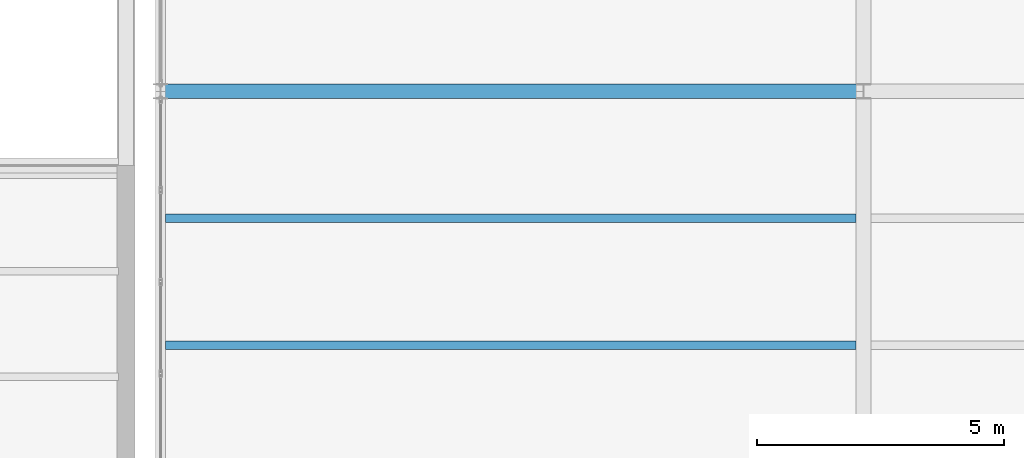
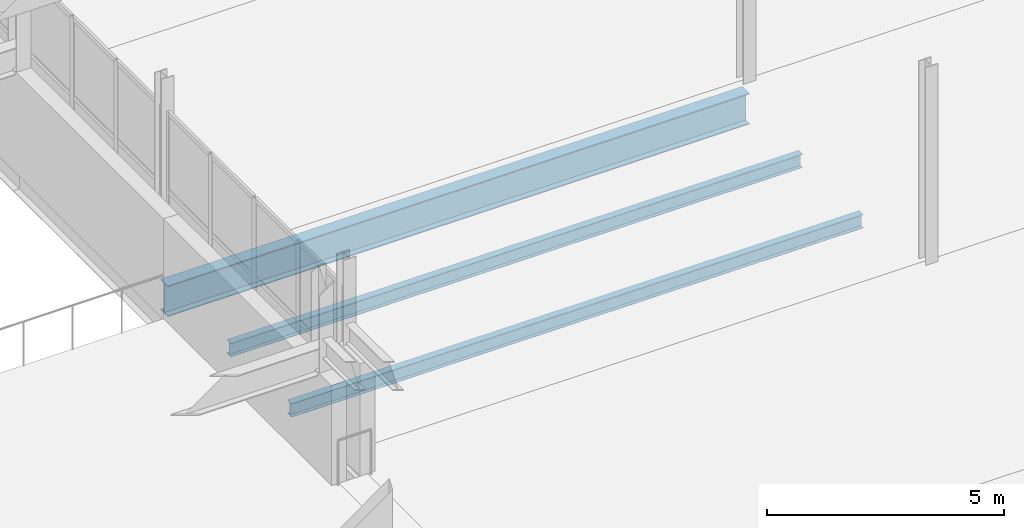
# One storey, part 115 of 218: 3 beams.
"""IFC4 building model written with IfcOpenShell, lengths in metres."""

from ifc_helpers import new_model, si_unit, direction, frame, origin, origin_2d, place, context, subcontext, project, spatial, i_section, extrude, material, material_profile, profile_set, type_object, element, save


model = new_model("IFC4")

# Units and contexts
model_context = context("Model", 3, precision=1e-05, world=origin(), true_north=direction((0.0, 1.0)))
body_context = subcontext(model_context, "Body", "Model", "MODEL_VIEW")
ifc_project = project(units=[si_unit("LENGTHUNIT", "METRE"), si_unit("AREAUNIT", "SQUARE_METRE"), si_unit("VOLUMEUNIT", "CUBIC_METRE"), si_unit("PLANEANGLEUNIT", "RADIAN"), si_unit("MASSUNIT", "GRAM", prefix="KILO")], contexts=[model_context])

# Site, building, storey
site_placement = place(None, origin())
site = spatial("IfcSite", under=ifc_project, at=site_placement, CompositionType="ELEMENT")
building_placement = place(site_placement, origin())
building = spatial("IfcBuilding", under=site, at=building_placement, Name="Kazenagashi Tramway Depot", CompositionType="ELEMENT")
storey_placement = place(building_placement, frame((0.0, 0.0, 6.0)))
storey = spatial("IfcBuildingStorey", under=building, at=storey_placement, Name="L02", CompositionType="ELEMENT", Elevation=6.0)

# Beams
ifc_material_1 = material(Name="Steel SN490B", Category="steel")
ifc_material_profile_1 = material_profile(ifc_material_1, i_section(OverallWidth=0.3, OverallDepth=0.8, WebThickness=0.014, FlangeThickness=0.026, at=origin_2d()), Name="H-800x300x14x26")
ifc_profile_set_1 = profile_set([ifc_material_profile_1], Name="Steel SN490B")
beam_type_1 = type_object("IfcBeamType", Name="G-07", PredefinedType="BEAM", material=ifc_profile_set_1)
beam_placement = place(storey_placement, frame((146.3, 30.8, -0.68), z_axis=(1.0, 0.0, 0.0), x_axis=(0.0, 1.0, 0.0)))
element("IfcBeam", 1, at=beam_placement, inside=storey, type_object=beam_type_1, Name="Beam G-07 BM-1203", PredefinedType="BEAM", context=body_context, shape_type="SweptSolid", body=[
    extrude(i_section(OverallWidth=0.3, OverallDepth=0.8, WebThickness=0.014, FlangeThickness=0.026, at=origin_2d()), origin(), (0.0, 0.0, 1.0), 14.2),
])
ifc_material_2 = material(Name="Steel SN400B", Category="steel")
ifc_material_profile_2 = material_profile(ifc_material_2, i_section(OverallWidth=0.175, OverallDepth=0.35, WebThickness=0.007, FlangeThickness=0.011, at=origin_2d()), Name="H-350x175x7x11")
ifc_profile_set_2 = profile_set([ifc_material_profile_2], Name="Steel SN400B")
beam_type_2 = type_object("IfcBeamType", Name="J-01", PredefinedType="JOIST", material=ifc_profile_set_2)
for number, where, z_axis, x_axis, name in (
    (2, (146.4, 25.667, -0.455), (1.0, 0.0, 0.0), (0.0, 1.0, 0.0), "Beam J-01 BM-1239"),
    (3, (146.4, 28.233, -0.455), (1.0, 0.0, 0.0), (0.0, 1.0, 0.0), "Beam J-01 BM-1240"),
):
    element("IfcBeam", number, at=place(storey_placement, frame(where, z_axis=z_axis, x_axis=x_axis)), inside=storey, type_object=beam_type_2, Name=name, PredefinedType="JOIST", context=body_context, shape_type="SweptSolid", body=[
        extrude(i_section(OverallWidth=0.175, OverallDepth=0.35, WebThickness=0.007, FlangeThickness=0.011, at=origin_2d()), origin(), (0.0, 0.0, 1.0), 13.95),
    ])

save(model, "model.ifc")
